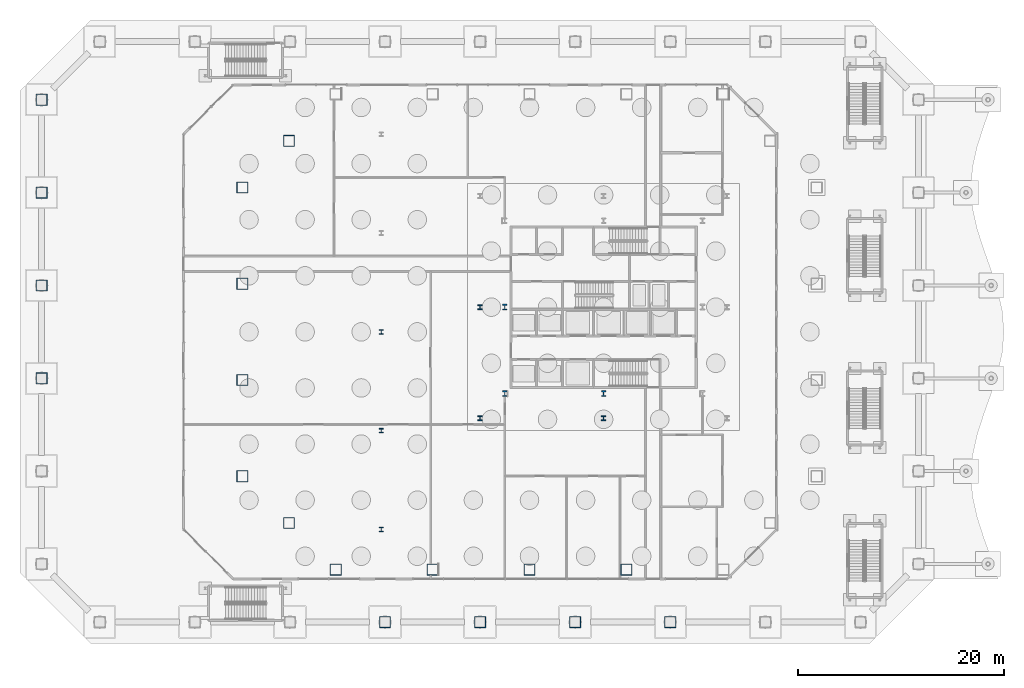
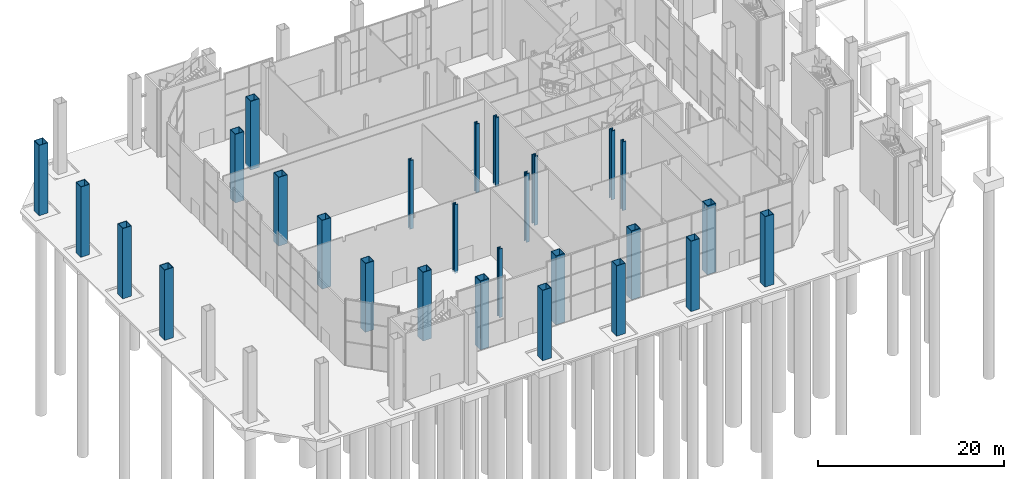
# One storey, part 4 of 38: 27 columns.
"""IFC4 building model written with IfcOpenShell, lengths in metres."""

from ifc_helpers import new_model, si_unit, direction, frame, origin, origin_2d, place, context, subcontext, project, spatial, hollow_rectangle, i_section, extrude, material, material_profile, profile_set, type_object, element, save


model = new_model("IFC4")

# Units and contexts
model_context = context("Model", 3, precision=1e-05, world=origin(), true_north=direction((0.0, 1.0)))
body_context = subcontext(model_context, "Body", "Model", "MODEL_VIEW")
ifc_project = project(units=[si_unit("LENGTHUNIT", "METRE"), si_unit("AREAUNIT", "SQUARE_METRE"), si_unit("VOLUMEUNIT", "CUBIC_METRE"), si_unit("PLANEANGLEUNIT", "RADIAN"), si_unit("MASSUNIT", "GRAM", prefix="KILO")], contexts=[model_context])

# Site, building, storey
site_placement = place(None, origin())
site = spatial("IfcSite", under=ifc_project, at=site_placement, CompositionType="ELEMENT")
building_placement = place(site_placement, origin())
building = spatial("IfcBuilding", under=site, at=building_placement, Name="Cairn Pilgrim Tower", CompositionType="ELEMENT")
storey_placement = place(building_placement, origin())
storey = spatial("IfcBuildingStorey", under=building, at=storey_placement, Name="L00", CompositionType="ELEMENT", Elevation=0.0)

# Columns
ifc_material = material(Name="Structural steel S460M", Category="steel")
ifc_material_profile_1 = material_profile(ifc_material, hollow_rectangle(XDim=1.10009765625, YDim=1.10009765625, WallThickness=0.06005859375, at=origin_2d()), Name="BOX 1100x1100x60")
ifc_profile_set_1 = profile_set([ifc_material_profile_1], Name="Structural steel S460M")
column_type_1 = type_object("IfcColumnType", Name="BOX 1100x1100x60", PredefinedType="COLUMN", material=ifc_profile_set_1)
for number, where, z_axis, x_axis, name in (
    (1, (-18.8271484375, -23.10009765625, -0.25), (0.0, 0.0, 1.0), (1.0, 0.0, 0.0), "PC1-S1"),
    (2, (-9.41357421875, -23.10009765625, -0.25), (0.0, 0.0, 1.0), (1.0, 0.0, 0.0), "PC1-S2"),
    (3, (0.0, -23.10009765625, -0.25), (0.0, 0.0, 1.0), (1.0, 0.0, 0.0), "PC1-S3"),
    (4, (9.41357421875, -23.10009765625, -0.25), (0.0, 0.0, 1.0), (1.0, 0.0, 0.0), "PC1-S4"),
    (5, (-23.363525390625, 18.563720703125, -0.25), (0.0, 0.0, 1.0), (1.0, 0.0, 0.0), "PC1-NW2"),
    (6, (-27.89990234375, 14.027099609375, -0.25), (0.0, 0.0, 1.0), (1.0, 0.0, 0.0), "PC1-W1"),
    (7, (-27.89990234375, 4.67578125, -0.25), (0.0, 0.0, 1.0), (1.0, 0.0, 0.0), "PC1-W2"),
    (8, (-27.89990234375, -4.67578125, -0.25), (0.0, 0.0, 1.0), (1.0, 0.0, 0.0), "PC1-W3"),
    (9, (-27.89990234375, -14.027099609375, -0.25), (0.0, 0.0, 1.0), (1.0, 0.0, 0.0), "PC1-SW1"),
    (10, (-23.363525390625, -18.563720703125, -0.25), (0.0, 0.0, 1.0), (1.0, 0.0, 0.0), "PC1-SW2"),
):
    element("IfcColumn", number, at=place(storey_placement, frame(where, z_axis=z_axis, x_axis=x_axis)), inside=storey, type_object=column_type_1, Name=name, PredefinedType="COLUMN", context=body_context, shape_type="SweptSolid", body=[
        extrude(hollow_rectangle(XDim=1.10009765625, YDim=1.10009765625, WallThickness=0.06005859375, at=origin_2d()), origin(), (0.0, 0.0, 1.0), 9.050048828125),
    ])
ifc_material_profile_2 = material_profile(ifc_material, i_section(OverallWidth=0.4541015625, OverallDepth=0.569091796875, WebThickness=0.077880859375, FlangeThickness=0.125, FilletRadius=0.014892578125, at=origin_2d()), Name="HD 400x1086")
ifc_profile_set_2 = profile_set([ifc_material_profile_2], Name="Structural steel S460M")
column_type_2 = type_object("IfcColumnType", Name="HD 400x1086", PredefinedType="COLUMN", material=ifc_profile_set_2)
for number, where, z_axis, x_axis, name in (
    (11, (-2.39990234375, -6.0, -0.25), (0.0, 0.0, 1.0), (1.0, 0.0, 0.0), "KC-1"),
    (12, (7.199951171875, -6.0, -0.25), (0.0, 0.0, 1.0), (1.0, 0.0, 0.0), "KC-2"),
    (13, (-2.39990234375, 2.39990234375, -0.25), (0.0, 0.0, 1.0), (1.0, 0.0, 0.0), "KC-4"),
):
    element("IfcColumn", number, at=place(storey_placement, frame(where, z_axis=z_axis, x_axis=x_axis)), inside=storey, type_object=column_type_2, Name=name, PredefinedType="COLUMN", context=body_context, shape_type="SweptSolid", body=[
        extrude(i_section(OverallWidth=0.4541015625, OverallDepth=0.569091796875, WebThickness=0.077880859375, FlangeThickness=0.125, FilletRadius=0.014892578125, at=origin_2d()), origin(), (0.0, 0.0, 1.0), 9.050048828125),
    ])
ifc_material_profile_3 = material_profile(ifc_material, i_section(OverallWidth=0.408935546875, OverallDepth=0.425048828125, WebThickness=0.03271484375, FlangeThickness=0.052490234375, FilletRadius=0.014892578125, at=origin_2d()), Name="HD 400x421")
ifc_profile_set_3 = profile_set([ifc_material_profile_3], Name="Structural steel S460M")
column_type_3 = type_object("IfcColumnType", Name="HD 400x421", PredefinedType="COLUMN", material=ifc_profile_set_3)
for number, where, z_axis, x_axis, name in (
    (14, (-14.39990234375, -19.199951171875, -0.25), (0.0, 0.0, 1.0), (1.0, 0.0, 0.0), "WC-WW-4"),
    (15, (-14.39990234375, -9.60009765625, -0.25), (0.0, 0.0, 1.0), (1.0, 0.0, 0.0), "WC-WW-2"),
    (16, (-14.39990234375, 0.0, -0.25), (0.0, 0.0, 1.0), (1.0, 0.0, 0.0), "WC-WW+0"),
):
    element("IfcColumn", number, at=place(storey_placement, frame(where, z_axis=z_axis, x_axis=x_axis)), inside=storey, type_object=column_type_3, Name=name, PredefinedType="COLUMN", context=body_context, shape_type="SweptSolid", body=[
        extrude(i_section(OverallWidth=0.408935546875, OverallDepth=0.425048828125, WebThickness=0.03271484375, FlangeThickness=0.052490234375, FilletRadius=0.014892578125, at=origin_2d()), origin(), (0.0, 0.0, 1.0), 9.050048828125),
    ])
ifc_material_profile_4 = material_profile(ifc_material, i_section(OverallWidth=0.424072265625, OverallDepth=0.47412109375, WebThickness=0.047607421875, FlangeThickness=0.0771484375, FilletRadius=0.014892578125, at=origin_2d()), Name="HD 400x634")
ifc_profile_set_4 = profile_set([ifc_material_profile_4], Name="Structural steel S460M")
column_type_4 = type_object("IfcColumnType", Name="HD 400x634", PredefinedType="COLUMN", material=ifc_profile_set_4)
for number, where, z_axis, x_axis, name in (
    (17, (-4.800048828125, -8.39990234375, -0.25), (0.0, 0.0, 1.0), (1.0, 0.0, 0.0), "IC-1"),
    (18, (7.199951171875, -8.39990234375, -0.25), (0.0, 0.0, 1.0), (1.0, 0.0, 0.0), "IC-2"),
    (19, (-4.800048828125, 2.39990234375, -0.25), (0.0, 0.0, 1.0), (1.0, 0.0, 0.0), "IC-4"),
):
    element("IfcColumn", number, at=place(storey_placement, frame(where, z_axis=z_axis, x_axis=x_axis)), inside=storey, type_object=column_type_4, Name=name, PredefinedType="COLUMN", context=body_context, shape_type="SweptSolid", body=[
        extrude(i_section(OverallWidth=0.424072265625, OverallDepth=0.47412109375, WebThickness=0.047607421875, FlangeThickness=0.0771484375, FilletRadius=0.014892578125, at=origin_2d()), origin(), (0.0, 0.0, 1.0), 9.050048828125),
    ])
ifc_material_profile_5 = material_profile(ifc_material, hollow_rectangle(XDim=1.10009765625, YDim=1.10009765625, WallThickness=0.06005859375, at=origin_2d()), Name="BOX 1100x1100x60")
ifc_profile_set_5 = profile_set([ifc_material_profile_5], Name="Structural steel S460M")
column_type_5 = type_object("IfcColumnType", Name="PILOTIS CFT 1100", PredefinedType="COLUMN", material=ifc_profile_set_5)
for number, where, z_axis, x_axis, name in (
    (20, (-14.037841796875, -28.199951171875, -0.25), (0.0, 0.0, 1.0), (1.0, 0.0, 0.0), "PILOTIS PL-S4"),
    (21, (-4.800048828125, -28.199951171875, -0.25), (0.0, 0.0, 1.0), (1.0, 0.0, 0.0), "PILOTIS PL-S5"),
    (22, (4.43798828125, -28.199951171875, -0.25), (0.0, 0.0, 1.0), (1.0, 0.0, 0.0), "PILOTIS PL-S6"),
    (23, (13.67578125, -28.199951171875, -0.25), (0.0, 0.0, 1.0), (1.0, 0.0, 0.0), "PILOTIS PL-S7"),
    (24, (-47.39990234375, 22.551513671875, -0.25), (0.0, 0.0, 1.0), (1.0, 0.0, 0.0), "PILOTIS PL-W1"),
    (25, (-47.39990234375, 13.531005859375, -0.25), (0.0, 0.0, 1.0), (1.0, 0.0, 0.0), "PILOTIS PL-W2"),
    (26, (-47.39990234375, 4.51025390625, -0.25), (0.0, 0.0, 1.0), (1.0, 0.0, 0.0), "PILOTIS PL-W3"),
    (27, (-47.39990234375, -4.51025390625, -0.25), (0.0, 0.0, 1.0), (1.0, 0.0, 0.0), "PILOTIS PL-W4"),
):
    element("IfcColumn", number, at=place(storey_placement, frame(where, z_axis=z_axis, x_axis=x_axis)), inside=storey, type_object=column_type_5, Name=name, PredefinedType="COLUMN", context=body_context, shape_type="SweptSolid", body=[
        extrude(hollow_rectangle(XDim=1.10009765625, YDim=1.10009765625, WallThickness=0.06005859375, at=origin_2d()), origin(), (0.0, 0.0, 1.0), 9.25),
    ])

save(model, "model.ifc")
